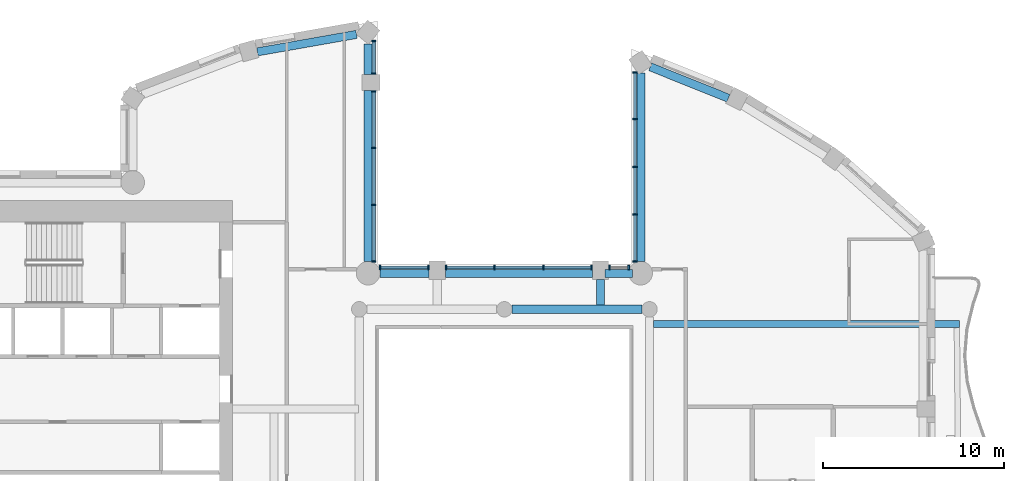
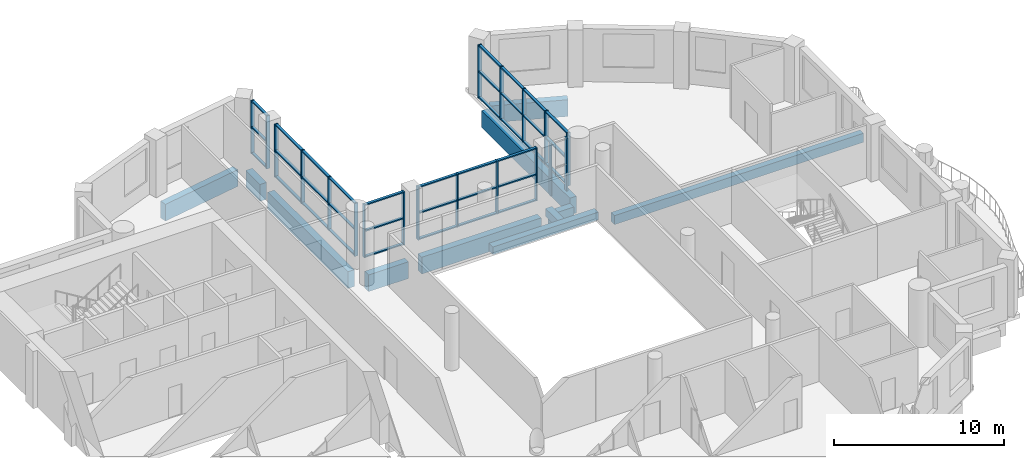
# One storey, part 2 of 14: 55 members, 11 beams, 6 elements without a shape of their own.
"""IFC4 building model written with IfcOpenShell, lengths in metres."""

import ifcopenshell
import ifcopenshell.guid

model = None  # the IFC model being written
_history = None  # IfcOwnerHistory: only IFC2X3 demands one
_inside = {}  # id of a spatial element -> (the spatial element, [elements in it])
_under = {}  # id of a project, library or spatial element -> (it, [spatial elements below it])
_declared = {}  # id of a project -> (the project, [libraries it declares])
_typed = {}  # id of a type object -> (the type object, [elements of that type])
_made_of = {}  # id of a material, layer set ... -> (it, [elements and type objects made of it])


def new_model(schema):
    """Start an empty IFC model of exactly this schema.

    Asked for "IFC4X3", IfcOpenShell would pick the latest addendum, in which some entities
    have other attributes; the version numbers below select the first issue.
    IFC2X3 requires an IfcOwnerHistory on every rooted entity: one is made here for all.
    """
    global model, _history
    if schema == "IFC4X3":
        model = ifcopenshell.file(schema_version=(4, 3, 0, 0))
    else:
        model = ifcopenshell.file(schema=schema)
    _inside.clear()
    _under.clear()
    _declared.clear()
    _typed.clear()
    _made_of.clear()
    _history = None
    if model.schema == "IFC2X3":
        org = make("IfcOrganization", Name="unknown")
        user = make(
            "IfcPersonAndOrganization",
            ThePerson=make("IfcPerson", FamilyName="unknown"),
            TheOrganization=org,
        )
        app = make(
            "IfcApplication",
            ApplicationDeveloper=org,
            Version="unknown",
            ApplicationFullName="unknown",
            ApplicationIdentifier="unknown",
        )
        _history = make(
            "IfcOwnerHistory",
            OwningUser=user,
            OwningApplication=app,
            ChangeAction="ADDED",
            CreationDate=0,
        )
    return model


def make(cls, **values):
    """One entity of the class cls with the attributes given. An attribute that is None is left unset."""
    return model.create_entity(
        cls, **{name: value for name, value in values.items() if value is not None}
    )


def rooted(cls, **values):
    """An entity with a GlobalId (a new one), such as an element, a storey or a relation."""
    return make(cls, GlobalId=ifcopenshell.guid.new(), OwnerHistory=_history, **values)


def si_unit(unit_type, name, prefix=None):
    """IfcSIUnit, for example si_unit("LENGTHUNIT", "METRE", prefix="MILLI")."""
    return make("IfcSIUnit", UnitType=unit_type, Prefix=prefix, Name=name)


def assignment(units):
    """IfcUnitAssignment: the units of a project."""
    return None if units is None else make("IfcUnitAssignment", Units=units)


def point(xyz):
    """IfcCartesianPoint."""
    return None if xyz is None else make("IfcCartesianPoint", Coordinates=xyz)


def direction(xyz):
    """IfcDirection."""
    return None if xyz is None else make("IfcDirection", DirectionRatios=xyz)


def frame(location, z_axis=None, x_axis=None):
    """IfcAxis2Placement3D, a coordinate frame: its origin and axes. An axis left out is left unset."""
    return make(
        "IfcAxis2Placement3D",
        Location=point(location),
        Axis=direction(z_axis),
        RefDirection=direction(x_axis),
    )


def frame_2d(location, x_axis=None):
    """IfcAxis2Placement2D, a coordinate frame in the plane: its origin and x axis."""
    return make(
        "IfcAxis2Placement2D", Location=point(location), RefDirection=direction(x_axis)
    )


def origin():
    """The frame at (0, 0, 0) with its axes left unset."""
    return frame((0.0, 0.0, 0.0))


def origin_2d():
    """The frame at (0, 0) in the plane with its x axis left unset."""
    return frame_2d((0.0, 0.0))


def place(relative_to, where):
    """IfcLocalPlacement: puts the frame where relative to a parent placement (None: the world)."""
    return make(
        "IfcLocalPlacement", PlacementRelTo=relative_to, RelativePlacement=where
    )


def context(
    kind, dimensions, precision=None, world=None, true_north=None, identifier=None
):
    """IfcGeometricRepresentationContext, for example the 3D "Model" context."""
    return make(
        "IfcGeometricRepresentationContext",
        ContextIdentifier=identifier,
        ContextType=kind,
        CoordinateSpaceDimension=dimensions,
        Precision=precision,
        WorldCoordinateSystem=world,
        TrueNorth=true_north,
    )


def subcontext(parent, identifier, kind, view, scale=None):
    """IfcGeometricRepresentationSubContext, for example "Body" below "Model"."""
    return make(
        "IfcGeometricRepresentationSubContext",
        ContextIdentifier=identifier,
        ContextType=kind,
        ParentContext=parent,
        TargetScale=scale,
        TargetView=view,
    )


def project(units=None, contexts=None):
    """IfcProject with its units and contexts."""
    return rooted(
        "IfcProject",
        Name="project",
        RepresentationContexts=contexts,
        UnitsInContext=assignment(units),
    )


def spatial(cls, under=None, at=None, **own):
    """A site, building, storey or space (cls), placed at a placement, below another one or the project."""
    s = rooted(cls, ObjectPlacement=at, **own)
    if under is not None:
        _under.setdefault(under.id(), (under, []))[1].append(s)
    return s


def profile(cls, at=None, kind="AREA", **sizes):
    """A parametric profile (cls). Its sizes go by their IFC names, for example OverallWidth=200.0."""
    return make(cls, ProfileType=kind, Position=at, **sizes)


def rectangle(**sizes):
    """IfcRectangleProfileDef."""
    return profile("IfcRectangleProfileDef", **sizes)


def extrude(swept, where, along, depth):
    """IfcExtrudedAreaSolid: the profile swept, set in the frame where, extruded along a direction by depth."""
    return make(
        "IfcExtrudedAreaSolid",
        SweptArea=swept,
        Position=where,
        ExtrudedDirection=direction(along),
        Depth=depth,
    )


def shape(context_of_items, identifier, shape_type, items):
    """IfcShapeRepresentation: the items that make up one representation, for example the "Body"."""
    return make(
        "IfcShapeRepresentation",
        ContextOfItems=context_of_items,
        RepresentationIdentifier=identifier,
        RepresentationType=shape_type,
        Items=items,
    )


def material(Name=None, Category=None):
    """IfcMaterial."""
    return make("IfcMaterial", Name=Name, Category=Category)


def material_profile(
    of_material, cross_section, Name=None, Category=None, Priority=None
):
    """IfcMaterialProfile: a cross section and its material."""
    return make(
        "IfcMaterialProfile",
        Name=Name,
        Material=of_material,
        Profile=cross_section,
        Priority=Priority,
        Category=Category,
    )


def profile_set(profiles, Name=None, composite=None):
    """IfcMaterialProfileSet."""
    return make(
        "IfcMaterialProfileSet",
        Name=Name,
        MaterialProfiles=profiles,
        CompositeProfile=composite,
    )


def made_of(thing, what):
    """Note that an element or type object is made of a material, layer set ...; save() writes the relation."""
    if what is not None:
        _made_of.setdefault(what.id(), (what, []))[1].append(thing)
    return thing


def type_object(cls, material=None, **own):
    """A type object (cls), such as IfcWallType, which elements share."""
    return made_of(rooted(cls, **own), material)


def element(
    cls,
    number,
    at=None,
    inside=None,
    cuts=None,
    type_object=None,
    material=None,
    context=None,
    identifier="Body",
    shape_type=None,
    held_by="IfcProductDefinitionShape",
    body=None,
    shapes=None,
    **own,
):
    """One element of the class cls, such as IfcWall. Its Tag is "e" and its number.

    at: its placement. inside: the storey or other place that contains it. cuts: it is an
    opening in that element (IfcRelVoidsElement). A single representation is given by context,
    identifier, shape_type and body (its items); several are given by shapes. held_by: the class
    of the entity that holds the representations. save() writes the other relations.
    """
    e = rooted(cls, Tag="e%d" % number, ObjectPlacement=at, **own)
    if body is not None:
        shapes = [shape(context, identifier, shape_type, body)]
    if shapes is not None:
        e.Representation = make(held_by, Representations=shapes)
    if inside is not None:
        _inside.setdefault(inside.id(), (inside, []))[1].append(e)
    if cuts is not None:
        rooted(
            "IfcRelVoidsElement", RelatingBuildingElement=cuts, RelatedOpeningElement=e
        )
    if type_object is not None:
        _typed.setdefault(type_object.id(), (type_object, []))[1].append(e)
    return made_of(e, material)


def aggregate(whole, parts):
    """IfcRelAggregates: a whole, such as a stair, and the parts it consists of."""
    return rooted("IfcRelAggregates", RelatingObject=whole, RelatedObjects=parts)


def save(model, path):
    """Write the relations noted so far, then the file.

    IfcRelAggregates (storeys below a building ...), IfcRelContainedInSpatialStructure (elements
    in a storey), IfcRelDefinesByType, IfcRelAssociatesMaterial and IfcRelDeclares: one each for
    every whole, place, type object, material and project.
    """
    for whole, parts in _under.values():
        aggregate(whole, parts)
    for where, things in _inside.values():
        rooted(
            "IfcRelContainedInSpatialStructure",
            RelatedElements=things,
            RelatingStructure=where,
        )
    for kind, things in _typed.values():
        rooted("IfcRelDefinesByType", RelatedObjects=things, RelatingType=kind)
    for what, things in _made_of.values():
        rooted("IfcRelAssociatesMaterial", RelatedObjects=things, RelatingMaterial=what)
    for by, libraries in _declared.values():
        rooted("IfcRelDeclares", RelatingContext=by, RelatedDefinitions=libraries)
    model.write(path)


model = new_model("IFC4")

# Units and contexts
model_context = context("Model", 3, precision=1e-05, world=origin(), true_north=direction((0.0, 1.0)))
body_context = subcontext(model_context, "Body", "Model", "MODEL_VIEW")
ifc_project = project(units=[si_unit("LENGTHUNIT", "METRE"), si_unit("AREAUNIT", "SQUARE_METRE"), si_unit("VOLUMEUNIT", "CUBIC_METRE"), si_unit("PLANEANGLEUNIT", "RADIAN"), si_unit("MASSUNIT", "GRAM", prefix="KILO")], contexts=[model_context])

# Site, building, storey
site_placement = place(None, origin())
site = spatial("IfcSite", under=ifc_project, at=site_placement, CompositionType="ELEMENT")
building_placement = place(site_placement, origin())
building = spatial("IfcBuilding", under=site, at=building_placement, Name="Cypress Arch Tower", CompositionType="ELEMENT")
storey_placement = place(building_placement, frame((0.0, 0.0, 284.39990234375)))
storey = spatial("IfcBuildingStorey", under=building, at=storey_placement, Name="L64", CompositionType="ELEMENT", Elevation=284.39990234375)

# Beams
ifc_material_1 = material(Name="Concrete C50/60", Category="concrete")
ifc_material_profile_1 = material_profile(ifc_material_1, rectangle(XDim=0.39990234375, YDim=0.64990234375, at=origin_2d()), Name="RC 400x650")
ifc_profile_set_1 = profile_set([ifc_material_profile_1], Name="Concrete C50/60")
beam_type_1 = type_object("IfcBeamType", Name="Cantilever beam RC 400x650 Concrete C50/60", PredefinedType="BEAM", material=ifc_profile_set_1)
beam_1_placement = place(storey_placement, frame((9.22509765625, 9.1826171875, -0.625), z_axis=(1.0, 0.0, 0.0), x_axis=(0.0, 1.0, 0.0)))
element("IfcBeam", 1, at=beam_1_placement, inside=storey, type_object=beam_type_1, Name="Cantilever beam L64 C17 2", PredefinedType="BEAM", context=body_context, shape_type="SweptSolid", body=[
    extrude(rectangle(XDim=0.39990234375, YDim=0.64990234375, at=origin_2d()), origin(), (0.0, 0.0, 1.0), 16.86767578125),
])
ifc_material_2 = material(Name="Concrete C50/60", Category="concrete")
ifc_material_profile_2 = material_profile(ifc_material_2, rectangle(XDim=0.449951171875, YDim=0.550048828125, at=origin_2d()), Name="RC 450x550")
ifc_profile_set_2 = profile_set([ifc_material_profile_2], Name="Concrete C50/60")
beam_type_2 = type_object("IfcBeamType", Name="Floor beam RC 450x550 Concrete C50/60", PredefinedType="BEAM", material=ifc_profile_set_2)
beam_2_placement = place(storey_placement, frame((1.425048828125, 10.0, -0.574951171875), z_axis=(1.0, 0.0, 0.0), x_axis=(0.0, 1.0, 0.0)))
element("IfcBeam", 2, at=beam_2_placement, inside=storey, type_object=beam_type_2, Name="Floor beam L64 RB008", PredefinedType="BEAM", context=body_context, shape_type="SweptSolid", body=[
    extrude(rectangle(XDim=0.449951171875, YDim=0.550048828125, at=origin_2d()), origin(), (0.0, 0.0, 1.0), 7.14990234375),
])
beam_3_placement = place(storey_placement, frame((6.300048828125, 10.22509765625, -0.574951171875), z_axis=(0.0, 1.0, 0.0), x_axis=(-1.0, 0.0, 0.0)))
element("IfcBeam", 3, at=beam_3_placement, inside=storey, type_object=beam_type_2, Name="Floor beam L64 FB013", PredefinedType="BEAM", context=body_context, shape_type="SweptSolid", body=[
    extrude(rectangle(XDim=0.449951171875, YDim=0.550048828125, at=origin_2d()), origin(), (0.0, 0.0, 1.0), 1.4248046875),
])

# Curtain wall, members
ifc_material_3 = material(Name="Anodised aluminium, bronze finish, clear laminated double glazing", Category="aluminium")
curtain_wall_type = type_object("IfcCurtainWallType", Name="Curtain wall CW7 slot glazing", PredefinedType="NOTDEFINED", material=ifc_material_3)
curtain_wall_1_placement = place(storey_placement, origin())
curtain_wall_1 = element("IfcCurtainWall", 4, at=curtain_wall_1_placement, inside=storey, type_object=curtain_wall_type, Name="Curtain wall L64 slot C00.0", PredefinedType="NOTDEFINED")
ifc_material_4 = material(Name="Anodised aluminium, bronze finish", Category="aluminium")
ifc_material_profile_3 = material_profile(ifc_material_4, rectangle(XDim=0.239990234375, YDim=0.0849609375, at=origin_2d()), Name="Mullion 85x240")
ifc_profile_set_3 = profile_set([ifc_material_profile_3], Name="Anodised aluminium, bronze finish")
member_type_1 = type_object("IfcMemberType", Name="Mullion CW7 85x240", PredefinedType="MULLION", material=ifc_profile_set_3)
member_1_placement = place(storey_placement, frame((8.199951171875, 23.060302734375, 0.0), z_axis=(0.0, 0.0, 1.0), x_axis=(1.0, 0.0, 0.0)))
member_1 = element("IfcMember", 5, at=member_1_placement, type_object=member_type_1, Name="CW7 mullion 1", PredefinedType="MULLION", context=body_context, shape_type="SweptSolid", body=[
    extrude(rectangle(XDim=0.239990234375, YDim=0.0849609375, at=origin_2d()), origin(), (0.0, 0.0, 1.0), 3.800048828125),
])
member_2_placement = place(storey_placement, frame((8.199951171875, 20.477294921875, 0.0), z_axis=(0.0, 0.0, 1.0), x_axis=(1.0, 0.0, 0.0)))
member_2 = element("IfcMember", 6, at=member_2_placement, type_object=member_type_1, Name="CW7 mullion 2", PredefinedType="MULLION", context=body_context, shape_type="SweptSolid", body=[
    extrude(rectangle(XDim=0.239990234375, YDim=0.0849609375, at=origin_2d()), origin(), (0.0, 0.0, 1.0), 3.800048828125),
])
member_3_placement = place(storey_placement, frame((8.199951171875, 17.85205078125, 0.0), z_axis=(0.0, 0.0, 1.0), x_axis=(1.0, 0.0, 0.0)))
member_3 = element("IfcMember", 7, at=member_3_placement, type_object=member_type_1, Name="CW7 mullion 3", PredefinedType="MULLION", context=body_context, shape_type="SweptSolid", body=[
    extrude(rectangle(XDim=0.239990234375, YDim=0.0849609375, at=origin_2d()), origin(), (0.0, 0.0, 1.0), 3.800048828125),
])
member_4_placement = place(storey_placement, frame((8.199951171875, 15.226806640625, 0.0), z_axis=(0.0, 0.0, 1.0), x_axis=(1.0, 0.0, 0.0)))
member_4 = element("IfcMember", 8, at=member_4_placement, type_object=member_type_1, Name="CW7 mullion 4", PredefinedType="MULLION", context=body_context, shape_type="SweptSolid", body=[
    extrude(rectangle(XDim=0.239990234375, YDim=0.0849609375, at=origin_2d()), origin(), (0.0, 0.0, 1.0), 3.800048828125),
])
member_5_placement = place(storey_placement, frame((8.199951171875, 12.64404296875, 0.0), z_axis=(0.0, 0.0, 1.0), x_axis=(1.0, 0.0, 0.0)))
member_5 = element("IfcMember", 9, at=member_5_placement, type_object=member_type_1, Name="CW7 mullion 5", PredefinedType="MULLION", context=body_context, shape_type="SweptSolid", body=[
    extrude(rectangle(XDim=0.239990234375, YDim=0.0849609375, at=origin_2d()), origin(), (0.0, 0.0, 1.0), 3.800048828125),
])

curtain_wall_2_placement = place(storey_placement, origin())
curtain_wall_2 = element("IfcCurtainWall", 10, at=curtain_wall_2_placement, inside=storey, type_object=curtain_wall_type, Name="Curtain wall L64 slot C01.0", PredefinedType="NOTDEFINED")
member_6_placement = place(storey_placement, frame((7.85595703125, 12.300048828125, 0.0), z_axis=(0.0, 0.0, 1.0), x_axis=(0.0, -1.0, 0.0)))
member_6 = element("IfcMember", 11, at=member_6_placement, type_object=member_type_1, Name="CW7 mullion 1", PredefinedType="MULLION", context=body_context, shape_type="SweptSolid", body=[
    extrude(rectangle(XDim=0.239990234375, YDim=0.0849609375, at=origin_2d()), origin(), (0.0, 0.0, 1.0), 3.800048828125),
])
member_7_placement = place(storey_placement, frame((6.79248046875, 12.300048828125, 0.0), z_axis=(0.0, 0.0, 1.0), x_axis=(0.0, -1.0, 0.0)))
member_7 = element("IfcMember", 12, at=member_7_placement, type_object=member_type_1, Name="CW7 mullion 2", PredefinedType="MULLION", context=body_context, shape_type="SweptSolid", body=[
    extrude(rectangle(XDim=0.239990234375, YDim=0.0849609375, at=origin_2d()), origin(), (0.0, 0.0, 1.0), 3.800048828125),
])
aggregate(curtain_wall_2, [member_6, member_7])

curtain_wall_3_placement = place(storey_placement, origin())
curtain_wall_3 = element("IfcCurtainWall", 13, at=curtain_wall_3_placement, inside=storey, type_object=curtain_wall_type, Name="Curtain wall L64 slot C01.1", PredefinedType="NOTDEFINED")
member_8_placement = place(storey_placement, frame((5.8076171875, 12.300048828125, 0.0), z_axis=(0.0, 0.0, 1.0), x_axis=(0.0, -1.0, 0.0)))
member_8 = element("IfcMember", 14, at=member_8_placement, type_object=member_type_1, Name="CW7 mullion 1", PredefinedType="MULLION", context=body_context, shape_type="SweptSolid", body=[
    extrude(rectangle(XDim=0.239990234375, YDim=0.0849609375, at=origin_2d()), origin(), (0.0, 0.0, 1.0), 3.800048828125),
])
member_9_placement = place(storey_placement, frame((3.14990234375, 12.300048828125, 0.0), z_axis=(0.0, 0.0, 1.0), x_axis=(0.0, -1.0, 0.0)))
member_9 = element("IfcMember", 15, at=member_9_placement, type_object=member_type_1, Name="CW7 mullion 2", PredefinedType="MULLION", context=body_context, shape_type="SweptSolid", body=[
    extrude(rectangle(XDim=0.239990234375, YDim=0.0849609375, at=origin_2d()), origin(), (0.0, 0.0, 1.0), 3.800048828125),
])
member_10_placement = place(storey_placement, frame((0.449951171875, 12.300048828125, 0.0), z_axis=(0.0, 0.0, 1.0), x_axis=(0.0, -1.0, 0.0)))
member_10 = element("IfcMember", 16, at=member_10_placement, type_object=member_type_1, Name="CW7 mullion 3", PredefinedType="MULLION", context=body_context, shape_type="SweptSolid", body=[
    extrude(rectangle(XDim=0.239990234375, YDim=0.0849609375, at=origin_2d()), origin(), (0.0, 0.0, 1.0), 3.800048828125),
])
member_11_placement = place(storey_placement, frame((-2.20751953125, 12.300048828125, 0.0), z_axis=(0.0, 0.0, 1.0), x_axis=(0.0, -1.0, 0.0)))
member_11 = element("IfcMember", 17, at=member_11_placement, type_object=member_type_1, Name="CW7 mullion 4", PredefinedType="MULLION", context=body_context, shape_type="SweptSolid", body=[
    extrude(rectangle(XDim=0.239990234375, YDim=0.0849609375, at=origin_2d()), origin(), (0.0, 0.0, 1.0), 3.800048828125),
])

curtain_wall_4_placement = place(storey_placement, origin())
curtain_wall_4 = element("IfcCurtainWall", 18, at=curtain_wall_4_placement, inside=storey, type_object=curtain_wall_type, Name="Curtain wall L64 slot C01.2", PredefinedType="NOTDEFINED")
member_12_placement = place(storey_placement, frame((-3.1923828125, 12.300048828125, 0.0), z_axis=(0.0, 0.0, 1.0), x_axis=(0.0, -1.0, 0.0)))
member_12 = element("IfcMember", 19, at=member_12_placement, type_object=member_type_1, Name="CW7 mullion 1", PredefinedType="MULLION", context=body_context, shape_type="SweptSolid", body=[
    extrude(rectangle(XDim=0.239990234375, YDim=0.0849609375, at=origin_2d()), origin(), (0.0, 0.0, 1.0), 3.800048828125),
])
member_13_placement = place(storey_placement, frame((-5.85595703125, 12.300048828125, 0.0), z_axis=(0.0, 0.0, 1.0), x_axis=(0.0, -1.0, 0.0)))
member_13 = element("IfcMember", 20, at=member_13_placement, type_object=member_type_1, Name="CW7 mullion 2", PredefinedType="MULLION", context=body_context, shape_type="SweptSolid", body=[
    extrude(rectangle(XDim=0.239990234375, YDim=0.0849609375, at=origin_2d()), origin(), (0.0, 0.0, 1.0), 3.800048828125),
])

curtain_wall_5_placement = place(storey_placement, origin())
curtain_wall_5 = element("IfcCurtainWall", 21, at=curtain_wall_5_placement, inside=storey, type_object=curtain_wall_type, Name="Curtain wall L64 slot C02.0", PredefinedType="NOTDEFINED")
member_14_placement = place(storey_placement, frame((-6.199951171875, 12.64404296875, 0.0), z_axis=(0.0, 0.0, 1.0), x_axis=(-1.0, 0.0, 0.0)))
member_14 = element("IfcMember", 22, at=member_14_placement, type_object=member_type_1, Name="CW7 mullion 1", PredefinedType="MULLION", context=body_context, shape_type="SweptSolid", body=[
    extrude(rectangle(XDim=0.239990234375, YDim=0.0849609375, at=origin_2d()), origin(), (0.0, 0.0, 1.0), 3.800048828125),
])
member_15_placement = place(storey_placement, frame((-6.199951171875, 15.7509765625, 0.0), z_axis=(0.0, 0.0, 1.0), x_axis=(-1.0, 0.0, 0.0)))
member_15 = element("IfcMember", 23, at=member_15_placement, type_object=member_type_1, Name="CW7 mullion 2", PredefinedType="MULLION", context=body_context, shape_type="SweptSolid", body=[
    extrude(rectangle(XDim=0.239990234375, YDim=0.0849609375, at=origin_2d()), origin(), (0.0, 0.0, 1.0), 3.800048828125),
])
member_16_placement = place(storey_placement, frame((-6.199951171875, 18.900390625, 0.0), z_axis=(0.0, 0.0, 1.0), x_axis=(-1.0, 0.0, 0.0)))
member_16 = element("IfcMember", 24, at=member_16_placement, type_object=member_type_1, Name="CW7 mullion 3", PredefinedType="MULLION", context=body_context, shape_type="SweptSolid", body=[
    extrude(rectangle(XDim=0.239990234375, YDim=0.0849609375, at=origin_2d()), origin(), (0.0, 0.0, 1.0), 3.800048828125),
])
member_17_placement = place(storey_placement, frame((-6.199951171875, 22.007568359375, 0.0), z_axis=(0.0, 0.0, 1.0), x_axis=(-1.0, 0.0, 0.0)))
member_17 = element("IfcMember", 25, at=member_17_placement, type_object=member_type_1, Name="CW7 mullion 4", PredefinedType="MULLION", context=body_context, shape_type="SweptSolid", body=[
    extrude(rectangle(XDim=0.239990234375, YDim=0.0849609375, at=origin_2d()), origin(), (0.0, 0.0, 1.0), 3.800048828125),
])

curtain_wall_6_placement = place(storey_placement, origin())
curtain_wall_6 = element("IfcCurtainWall", 26, at=curtain_wall_6_placement, inside=storey, type_object=curtain_wall_type, Name="Curtain wall L64 slot C02.1", PredefinedType="NOTDEFINED")
member_18_placement = place(storey_placement, frame((-6.199951171875, 22.992431640625, 0.0), z_axis=(0.0, 0.0, 1.0), x_axis=(-1.0, 0.0, 0.0)))
member_18 = element("IfcMember", 27, at=member_18_placement, type_object=member_type_1, Name="CW7 mullion 1", PredefinedType="MULLION", context=body_context, shape_type="SweptSolid", body=[
    extrude(rectangle(XDim=0.239990234375, YDim=0.0849609375, at=origin_2d()), origin(), (0.0, 0.0, 1.0), 3.800048828125),
])
member_19_placement = place(storey_placement, frame((-6.199951171875, 24.789794921875, 0.0), z_axis=(0.0, 0.0, 1.0), x_axis=(-1.0, 0.0, 0.0)))
member_19 = element("IfcMember", 28, at=member_19_placement, type_object=member_type_1, Name="CW7 mullion 2", PredefinedType="MULLION", context=body_context, shape_type="SweptSolid", body=[
    extrude(rectangle(XDim=0.239990234375, YDim=0.0849609375, at=origin_2d()), origin(), (0.0, 0.0, 1.0), 3.800048828125),
])

# Beams
ifc_material_5 = material(Name="Concrete C50/60", Category="concrete")
ifc_material_profile_4 = material_profile(ifc_material_5, rectangle(XDim=0.449951171875, YDim=1.199951171875, at=origin_2d()), Name="RC 450x1200")
ifc_profile_set_4 = profile_set([ifc_material_profile_4], Name="Concrete C50/60")
beam_type_3 = type_object("IfcBeamType", Name="Spandrel beam RC 450x1200 Concrete C50/60", PredefinedType="SPANDREL", material=ifc_profile_set_4)
beam_4_placement = place(storey_placement, frame((8.52490234375, 23.017578125, -1.5498046875), z_axis=(0.0, -1.0, 0.0), x_axis=(1.0, 0.0, 0.0)))
element("IfcBeam", 29, at=beam_4_placement, inside=storey, type_object=beam_type_3, Name="Spandrel beam L64 BC00-0", PredefinedType="SPANDREL", context=body_context, shape_type="SweptSolid", body=[
    extrude(rectangle(XDim=0.449951171875, YDim=1.199951171875, at=origin_2d()), origin(), (0.0, 0.0, 1.0), 10.380126953125),
])
beam_5_placement = place(storey_placement, frame((8.05615234375, 11.97509765625, -1.5498046875), z_axis=(-1.0, 0.0, 0.0), x_axis=(0.0, -1.0, 0.0)))
element("IfcBeam", 30, at=beam_5_placement, inside=storey, type_object=beam_type_3, Name="Spandrel beam L64 BC01-0", PredefinedType="SPANDREL", context=body_context, shape_type="SweptSolid", body=[
    extrude(rectangle(XDim=0.449951171875, YDim=1.199951171875, at=origin_2d()), origin(), (0.0, 0.0, 1.0), 1.5),
])
beam_6_placement = place(storey_placement, frame((5.85009765625, 11.97509765625, -1.5498046875), z_axis=(-1.0, 0.0, 0.0), x_axis=(0.0, -1.0, 0.0)))
element("IfcBeam", 31, at=beam_6_placement, inside=storey, type_object=beam_type_3, Name="Spandrel beam L64 BC01-1", PredefinedType="SPANDREL", context=body_context, shape_type="SweptSolid", body=[
    extrude(rectangle(XDim=0.449951171875, YDim=1.199951171875, at=origin_2d()), origin(), (0.0, 0.0, 1.0), 8.10009765625),
])
beam_7_placement = place(storey_placement, frame((-3.14990234375, 11.97509765625, -1.5498046875), z_axis=(-1.0, 0.0, 0.0), x_axis=(0.0, -1.0, 0.0)))
element("IfcBeam", 32, at=beam_7_placement, inside=storey, type_object=beam_type_3, Name="Spandrel beam L64 BC01-2", PredefinedType="SPANDREL", context=body_context, shape_type="SweptSolid", body=[
    extrude(rectangle(XDim=0.449951171875, YDim=1.199951171875, at=origin_2d()), origin(), (0.0, 0.0, 1.0), 2.712646484375),
])
beam_8_placement = place(storey_placement, frame((-6.52490234375, 12.637451171875, -1.5498046875), z_axis=(0.0, 1.0, 0.0), x_axis=(-1.0, 0.0, 0.0)))
element("IfcBeam", 33, at=beam_8_placement, inside=storey, type_object=beam_type_3, Name="Spandrel beam L64 BC02-0", PredefinedType="SPANDREL", context=body_context, shape_type="SweptSolid", body=[
    extrude(rectangle(XDim=0.449951171875, YDim=1.199951171875, at=origin_2d()), origin(), (0.0, 0.0, 1.0), 9.41259765625),
])
beam_9_placement = place(storey_placement, frame((-6.52490234375, 22.949951171875, -1.5498046875), z_axis=(0.0, 1.0, 0.0), x_axis=(-1.0, 0.0, 0.0)))
element("IfcBeam", 34, at=beam_9_placement, inside=storey, type_object=beam_type_3, Name="Spandrel beam L64 BC02-1", PredefinedType="SPANDREL", context=body_context, shape_type="SweptSolid", body=[
    extrude(rectangle(XDim=0.449951171875, YDim=1.199951171875, at=origin_2d()), origin(), (0.0, 0.0, 1.0), 1.6796875),
])
beam_10_placement = place(storey_placement, frame((-7.14990234375, 25.154052734375, -1.5498046875), z_axis=(-0.984800388539, -0.173689938494, 0.0), x_axis=(0.173689938494, -0.984800388539, 0.0)))
element("IfcBeam", 35, at=beam_10_placement, inside=storey, type_object=beam_type_3, Name="Spandrel beam L64 BC03-0", PredefinedType="SPANDREL", context=body_context, shape_type="SweptSolid", body=[
    extrude(rectangle(XDim=0.449951171875, YDim=1.199951171875, at=origin_2d()), origin(), (0.0, 0.0, 1.0), 5.5478515625),
])
beam_11_placement = place(storey_placement, frame((13.343994140625, 21.6376953125, -1.5498046875), z_axis=(-0.92793836678, 0.372733668263, 0.0), x_axis=(-0.372733668263, -0.92793836678, 0.0)))
element("IfcBeam", 36, at=beam_11_placement, inside=storey, type_object=beam_type_3, Name="Spandrel beam L64 BC20-0", PredefinedType="SPANDREL", context=body_context, shape_type="SweptSolid", body=[
    extrude(rectangle(XDim=0.449951171875, YDim=1.199951171875, at=origin_2d()), origin(), (0.0, 0.0, 1.0), 4.637451171875),
])

# Member
ifc_material_6 = material(Name="Anodised aluminium, bronze finish", Category="aluminium")
ifc_material_profile_5 = material_profile(ifc_material_6, rectangle(XDim=0.179931640625, YDim=0.0849609375, at=origin_2d()), Name="Transom 85x180")
ifc_profile_set_5 = profile_set([ifc_material_profile_5], Name="Anodised aluminium, bronze finish")
member_type_2 = type_object("IfcMemberType", Name="Transom CW7 85x180", PredefinedType="USERDEFINED", material=ifc_profile_set_5)
member_20_placement = place(storey_placement, frame((8.199951171875, 23.017578125, 0.04248046875), z_axis=(0.0, -1.0, 0.0), x_axis=(1.0, 0.0, 0.0)))
member_20 = element("IfcMember", 37, at=member_20_placement, type_object=member_type_2, Name="CW7 transom 1.1", ObjectType="TRANSOM", PredefinedType="USERDEFINED", context=body_context, shape_type="SweptSolid", body=[
    extrude(rectangle(XDim=0.179931640625, YDim=0.0849609375, at=origin_2d()), origin(), (0.0, 0.0, 1.0), 2.497802734375),
])

member_21_placement = place(storey_placement, frame((8.199951171875, 23.017578125, 1.900146484375), z_axis=(0.0, -1.0, 0.0), x_axis=(1.0, 0.0, 0.0)))
member_21 = element("IfcMember", 38, at=member_21_placement, type_object=member_type_2, Name="CW7 transom 1.2", ObjectType="TRANSOM", PredefinedType="USERDEFINED", context=body_context, shape_type="SweptSolid", body=[
    extrude(rectangle(XDim=0.179931640625, YDim=0.0849609375, at=origin_2d()), origin(), (0.0, 0.0, 1.0), 2.497802734375),
])

member_22_placement = place(storey_placement, frame((8.199951171875, 23.017578125, 3.757568359375), z_axis=(0.0, -1.0, 0.0), x_axis=(1.0, 0.0, 0.0)))
member_22 = element("IfcMember", 39, at=member_22_placement, type_object=member_type_2, Name="CW7 transom 1.3", ObjectType="TRANSOM", PredefinedType="USERDEFINED", context=body_context, shape_type="SweptSolid", body=[
    extrude(rectangle(XDim=0.179931640625, YDim=0.0849609375, at=origin_2d()), origin(), (0.0, 0.0, 1.0), 2.497802734375),
])

member_23_placement = place(storey_placement, frame((8.199951171875, 20.434814453125, 0.04248046875), z_axis=(0.0, -1.0, 0.0), x_axis=(1.0, 0.0, 0.0)))
member_23 = element("IfcMember", 40, at=member_23_placement, type_object=member_type_2, Name="CW7 transom 2.1", ObjectType="TRANSOM", PredefinedType="USERDEFINED", context=body_context, shape_type="SweptSolid", body=[
    extrude(rectangle(XDim=0.179931640625, YDim=0.0849609375, at=origin_2d()), origin(), (0.0, 0.0, 1.0), 2.540283203125),
])

member_24_placement = place(storey_placement, frame((8.199951171875, 20.434814453125, 1.900146484375), z_axis=(0.0, -1.0, 0.0), x_axis=(1.0, 0.0, 0.0)))
member_24 = element("IfcMember", 41, at=member_24_placement, type_object=member_type_2, Name="CW7 transom 2.2", ObjectType="TRANSOM", PredefinedType="USERDEFINED", context=body_context, shape_type="SweptSolid", body=[
    extrude(rectangle(XDim=0.179931640625, YDim=0.0849609375, at=origin_2d()), origin(), (0.0, 0.0, 1.0), 2.540283203125),
])

member_25_placement = place(storey_placement, frame((8.199951171875, 20.434814453125, 3.757568359375), z_axis=(0.0, -1.0, 0.0), x_axis=(1.0, 0.0, 0.0)))
member_25 = element("IfcMember", 42, at=member_25_placement, type_object=member_type_2, Name="CW7 transom 2.3", ObjectType="TRANSOM", PredefinedType="USERDEFINED", context=body_context, shape_type="SweptSolid", body=[
    extrude(rectangle(XDim=0.179931640625, YDim=0.0849609375, at=origin_2d()), origin(), (0.0, 0.0, 1.0), 2.540283203125),
])

member_26_placement = place(storey_placement, frame((8.199951171875, 17.8095703125, 0.04248046875), z_axis=(0.0, -1.0, 0.0), x_axis=(1.0, 0.0, 0.0)))
member_26 = element("IfcMember", 43, at=member_26_placement, type_object=member_type_2, Name="CW7 transom 3.1", ObjectType="TRANSOM", PredefinedType="USERDEFINED", context=body_context, shape_type="SweptSolid", body=[
    extrude(rectangle(XDim=0.179931640625, YDim=0.0849609375, at=origin_2d()), origin(), (0.0, 0.0, 1.0), 2.540283203125),
])

member_27_placement = place(storey_placement, frame((8.199951171875, 17.8095703125, 1.900146484375), z_axis=(0.0, -1.0, 0.0), x_axis=(1.0, 0.0, 0.0)))
member_27 = element("IfcMember", 44, at=member_27_placement, type_object=member_type_2, Name="CW7 transom 3.2", ObjectType="TRANSOM", PredefinedType="USERDEFINED", context=body_context, shape_type="SweptSolid", body=[
    extrude(rectangle(XDim=0.179931640625, YDim=0.0849609375, at=origin_2d()), origin(), (0.0, 0.0, 1.0), 2.540283203125),
])

member_28_placement = place(storey_placement, frame((8.199951171875, 17.8095703125, 3.757568359375), z_axis=(0.0, -1.0, 0.0), x_axis=(1.0, 0.0, 0.0)))
member_28 = element("IfcMember", 45, at=member_28_placement, type_object=member_type_2, Name="CW7 transom 3.3", ObjectType="TRANSOM", PredefinedType="USERDEFINED", context=body_context, shape_type="SweptSolid", body=[
    extrude(rectangle(XDim=0.179931640625, YDim=0.0849609375, at=origin_2d()), origin(), (0.0, 0.0, 1.0), 2.540283203125),
])

member_29_placement = place(storey_placement, frame((8.199951171875, 15.184326171875, 0.04248046875), z_axis=(0.0, -1.0, 0.0), x_axis=(1.0, 0.0, 0.0)))
member_29 = element("IfcMember", 46, at=member_29_placement, type_object=member_type_2, Name="CW7 transom 4.1", ObjectType="TRANSOM", PredefinedType="USERDEFINED", context=body_context, shape_type="SweptSolid", body=[
    extrude(rectangle(XDim=0.179931640625, YDim=0.0849609375, at=origin_2d()), origin(), (0.0, 0.0, 1.0), 2.497802734375),
])

member_30_placement = place(storey_placement, frame((8.199951171875, 15.184326171875, 1.900146484375), z_axis=(0.0, -1.0, 0.0), x_axis=(1.0, 0.0, 0.0)))
member_30 = element("IfcMember", 47, at=member_30_placement, type_object=member_type_2, Name="CW7 transom 4.2", ObjectType="TRANSOM", PredefinedType="USERDEFINED", context=body_context, shape_type="SweptSolid", body=[
    extrude(rectangle(XDim=0.179931640625, YDim=0.0849609375, at=origin_2d()), origin(), (0.0, 0.0, 1.0), 2.497802734375),
])

member_31_placement = place(storey_placement, frame((8.199951171875, 15.184326171875, 3.757568359375), z_axis=(0.0, -1.0, 0.0), x_axis=(1.0, 0.0, 0.0)))
member_31 = element("IfcMember", 48, at=member_31_placement, type_object=member_type_2, Name="CW7 transom 4.3", ObjectType="TRANSOM", PredefinedType="USERDEFINED", context=body_context, shape_type="SweptSolid", body=[
    extrude(rectangle(XDim=0.179931640625, YDim=0.0849609375, at=origin_2d()), origin(), (0.0, 0.0, 1.0), 2.497802734375),
])

aggregate(curtain_wall_1, [member_1, member_2, member_3, member_4, member_5, member_20, member_21, member_22, member_23, member_24, member_25, member_26, member_27, member_28, member_29, member_30, member_31])

member_32_placement = place(storey_placement, frame((5.764892578125, 12.300048828125, 0.04248046875), z_axis=(-1.0, 0.0, 0.0), x_axis=(0.0, -1.0, 0.0)))
member_32 = element("IfcMember", 49, at=member_32_placement, type_object=member_type_2, Name="CW7 transom 1.1", ObjectType="TRANSOM", PredefinedType="USERDEFINED", context=body_context, shape_type="SweptSolid", body=[
    extrude(rectangle(XDim=0.179931640625, YDim=0.0849609375, at=origin_2d()), origin(), (0.0, 0.0, 1.0), 2.572509765625),
])

member_33_placement = place(storey_placement, frame((5.764892578125, 12.300048828125, 1.900146484375), z_axis=(-1.0, 0.0, 0.0), x_axis=(0.0, -1.0, 0.0)))
member_33 = element("IfcMember", 50, at=member_33_placement, type_object=member_type_2, Name="CW7 transom 1.2", ObjectType="TRANSOM", PredefinedType="USERDEFINED", context=body_context, shape_type="SweptSolid", body=[
    extrude(rectangle(XDim=0.179931640625, YDim=0.0849609375, at=origin_2d()), origin(), (0.0, 0.0, 1.0), 2.572509765625),
])

member_34_placement = place(storey_placement, frame((5.764892578125, 12.300048828125, 3.757568359375), z_axis=(-1.0, 0.0, 0.0), x_axis=(0.0, -1.0, 0.0)))
member_34 = element("IfcMember", 51, at=member_34_placement, type_object=member_type_2, Name="CW7 transom 1.3", ObjectType="TRANSOM", PredefinedType="USERDEFINED", context=body_context, shape_type="SweptSolid", body=[
    extrude(rectangle(XDim=0.179931640625, YDim=0.0849609375, at=origin_2d()), origin(), (0.0, 0.0, 1.0), 2.572509765625),
])

member_35_placement = place(storey_placement, frame((3.107421875, 12.300048828125, 0.04248046875), z_axis=(-1.0, 0.0, 0.0), x_axis=(0.0, -1.0, 0.0)))
member_35 = element("IfcMember", 52, at=member_35_placement, type_object=member_type_2, Name="CW7 transom 2.1", ObjectType="TRANSOM", PredefinedType="USERDEFINED", context=body_context, shape_type="SweptSolid", body=[
    extrude(rectangle(XDim=0.179931640625, YDim=0.0849609375, at=origin_2d()), origin(), (0.0, 0.0, 1.0), 2.614990234375),
])

member_36_placement = place(storey_placement, frame((3.107421875, 12.300048828125, 1.900146484375), z_axis=(-1.0, 0.0, 0.0), x_axis=(0.0, -1.0, 0.0)))
member_36 = element("IfcMember", 53, at=member_36_placement, type_object=member_type_2, Name="CW7 transom 2.2", ObjectType="TRANSOM", PredefinedType="USERDEFINED", context=body_context, shape_type="SweptSolid", body=[
    extrude(rectangle(XDim=0.179931640625, YDim=0.0849609375, at=origin_2d()), origin(), (0.0, 0.0, 1.0), 2.614990234375),
])

member_37_placement = place(storey_placement, frame((3.107421875, 12.300048828125, 3.757568359375), z_axis=(-1.0, 0.0, 0.0), x_axis=(0.0, -1.0, 0.0)))
member_37 = element("IfcMember", 54, at=member_37_placement, type_object=member_type_2, Name="CW7 transom 2.3", ObjectType="TRANSOM", PredefinedType="USERDEFINED", context=body_context, shape_type="SweptSolid", body=[
    extrude(rectangle(XDim=0.179931640625, YDim=0.0849609375, at=origin_2d()), origin(), (0.0, 0.0, 1.0), 2.614990234375),
])

member_38_placement = place(storey_placement, frame((0.407470703125, 12.300048828125, 0.04248046875), z_axis=(-1.0, 0.0, 0.0), x_axis=(0.0, -1.0, 0.0)))
member_38 = element("IfcMember", 55, at=member_38_placement, type_object=member_type_2, Name="CW7 transom 3.1", ObjectType="TRANSOM", PredefinedType="USERDEFINED", context=body_context, shape_type="SweptSolid", body=[
    extrude(rectangle(XDim=0.179931640625, YDim=0.0849609375, at=origin_2d()), origin(), (0.0, 0.0, 1.0), 2.572509765625),
])

member_39_placement = place(storey_placement, frame((0.407470703125, 12.300048828125, 1.900146484375), z_axis=(-1.0, 0.0, 0.0), x_axis=(0.0, -1.0, 0.0)))
member_39 = element("IfcMember", 56, at=member_39_placement, type_object=member_type_2, Name="CW7 transom 3.2", ObjectType="TRANSOM", PredefinedType="USERDEFINED", context=body_context, shape_type="SweptSolid", body=[
    extrude(rectangle(XDim=0.179931640625, YDim=0.0849609375, at=origin_2d()), origin(), (0.0, 0.0, 1.0), 2.572509765625),
])

member_40_placement = place(storey_placement, frame((0.407470703125, 12.300048828125, 3.757568359375), z_axis=(-1.0, 0.0, 0.0), x_axis=(0.0, -1.0, 0.0)))
member_40 = element("IfcMember", 57, at=member_40_placement, type_object=member_type_2, Name="CW7 transom 3.3", ObjectType="TRANSOM", PredefinedType="USERDEFINED", context=body_context, shape_type="SweptSolid", body=[
    extrude(rectangle(XDim=0.179931640625, YDim=0.0849609375, at=origin_2d()), origin(), (0.0, 0.0, 1.0), 2.572509765625),
])

aggregate(curtain_wall_3, [member_8, member_9, member_10, member_11, member_32, member_33, member_34, member_35, member_36, member_37, member_38, member_39, member_40])

member_41_placement = place(storey_placement, frame((-3.235107421875, 12.300048828125, 0.04248046875), z_axis=(-1.0, 0.0, 0.0), x_axis=(0.0, -1.0, 0.0)))
member_41 = element("IfcMember", 58, at=member_41_placement, type_object=member_type_2, Name="CW7 transom 1.1", ObjectType="TRANSOM", PredefinedType="USERDEFINED", context=body_context, shape_type="SweptSolid", body=[
    extrude(rectangle(XDim=0.179931640625, YDim=0.0849609375, at=origin_2d()), origin(), (0.0, 0.0, 1.0), 2.578369140625),
])

member_42_placement = place(storey_placement, frame((-3.235107421875, 12.300048828125, 1.900146484375), z_axis=(-1.0, 0.0, 0.0), x_axis=(0.0, -1.0, 0.0)))
member_42 = element("IfcMember", 59, at=member_42_placement, type_object=member_type_2, Name="CW7 transom 1.2", ObjectType="TRANSOM", PredefinedType="USERDEFINED", context=body_context, shape_type="SweptSolid", body=[
    extrude(rectangle(XDim=0.179931640625, YDim=0.0849609375, at=origin_2d()), origin(), (0.0, 0.0, 1.0), 2.578369140625),
])

member_43_placement = place(storey_placement, frame((-3.235107421875, 12.300048828125, 3.757568359375), z_axis=(-1.0, 0.0, 0.0), x_axis=(0.0, -1.0, 0.0)))
member_43 = element("IfcMember", 60, at=member_43_placement, type_object=member_type_2, Name="CW7 transom 1.3", ObjectType="TRANSOM", PredefinedType="USERDEFINED", context=body_context, shape_type="SweptSolid", body=[
    extrude(rectangle(XDim=0.179931640625, YDim=0.0849609375, at=origin_2d()), origin(), (0.0, 0.0, 1.0), 2.578369140625),
])

aggregate(curtain_wall_4, [member_12, member_13, member_41, member_42, member_43])

member_44_placement = place(storey_placement, frame((-6.199951171875, 12.6865234375, 0.04248046875), z_axis=(0.0, 1.0, 0.0), x_axis=(-1.0, 0.0, 0.0)))
member_44 = element("IfcMember", 61, at=member_44_placement, type_object=member_type_2, Name="CW7 transom 1.1", ObjectType="TRANSOM", PredefinedType="USERDEFINED", context=body_context, shape_type="SweptSolid", body=[
    extrude(rectangle(XDim=0.179931640625, YDim=0.0849609375, at=origin_2d()), origin(), (0.0, 0.0, 1.0), 3.02197265625),
])

member_45_placement = place(storey_placement, frame((-6.199951171875, 12.6865234375, 1.900146484375), z_axis=(0.0, 1.0, 0.0), x_axis=(-1.0, 0.0, 0.0)))
member_45 = element("IfcMember", 62, at=member_45_placement, type_object=member_type_2, Name="CW7 transom 1.2", ObjectType="TRANSOM", PredefinedType="USERDEFINED", context=body_context, shape_type="SweptSolid", body=[
    extrude(rectangle(XDim=0.179931640625, YDim=0.0849609375, at=origin_2d()), origin(), (0.0, 0.0, 1.0), 3.02197265625),
])

member_46_placement = place(storey_placement, frame((-6.199951171875, 12.6865234375, 3.757568359375), z_axis=(0.0, 1.0, 0.0), x_axis=(-1.0, 0.0, 0.0)))
member_46 = element("IfcMember", 63, at=member_46_placement, type_object=member_type_2, Name="CW7 transom 1.3", ObjectType="TRANSOM", PredefinedType="USERDEFINED", context=body_context, shape_type="SweptSolid", body=[
    extrude(rectangle(XDim=0.179931640625, YDim=0.0849609375, at=origin_2d()), origin(), (0.0, 0.0, 1.0), 3.02197265625),
])

member_47_placement = place(storey_placement, frame((-6.199951171875, 15.79345703125, 0.04248046875), z_axis=(0.0, 1.0, 0.0), x_axis=(-1.0, 0.0, 0.0)))
member_47 = element("IfcMember", 64, at=member_47_placement, type_object=member_type_2, Name="CW7 transom 2.1", ObjectType="TRANSOM", PredefinedType="USERDEFINED", context=body_context, shape_type="SweptSolid", body=[
    extrude(rectangle(XDim=0.179931640625, YDim=0.0849609375, at=origin_2d()), origin(), (0.0, 0.0, 1.0), 3.064453125),
])

member_48_placement = place(storey_placement, frame((-6.199951171875, 15.79345703125, 1.900146484375), z_axis=(0.0, 1.0, 0.0), x_axis=(-1.0, 0.0, 0.0)))
member_48 = element("IfcMember", 65, at=member_48_placement, type_object=member_type_2, Name="CW7 transom 2.2", ObjectType="TRANSOM", PredefinedType="USERDEFINED", context=body_context, shape_type="SweptSolid", body=[
    extrude(rectangle(XDim=0.179931640625, YDim=0.0849609375, at=origin_2d()), origin(), (0.0, 0.0, 1.0), 3.064453125),
])

member_49_placement = place(storey_placement, frame((-6.199951171875, 15.79345703125, 3.757568359375), z_axis=(0.0, 1.0, 0.0), x_axis=(-1.0, 0.0, 0.0)))
member_49 = element("IfcMember", 66, at=member_49_placement, type_object=member_type_2, Name="CW7 transom 2.3", ObjectType="TRANSOM", PredefinedType="USERDEFINED", context=body_context, shape_type="SweptSolid", body=[
    extrude(rectangle(XDim=0.179931640625, YDim=0.0849609375, at=origin_2d()), origin(), (0.0, 0.0, 1.0), 3.064453125),
])

member_50_placement = place(storey_placement, frame((-6.199951171875, 18.943115234375, 0.04248046875), z_axis=(0.0, 1.0, 0.0), x_axis=(-1.0, 0.0, 0.0)))
member_50 = element("IfcMember", 67, at=member_50_placement, type_object=member_type_2, Name="CW7 transom 3.1", ObjectType="TRANSOM", PredefinedType="USERDEFINED", context=body_context, shape_type="SweptSolid", body=[
    extrude(rectangle(XDim=0.179931640625, YDim=0.0849609375, at=origin_2d()), origin(), (0.0, 0.0, 1.0), 3.02197265625),
])

member_51_placement = place(storey_placement, frame((-6.199951171875, 18.943115234375, 1.900146484375), z_axis=(0.0, 1.0, 0.0), x_axis=(-1.0, 0.0, 0.0)))
member_51 = element("IfcMember", 68, at=member_51_placement, type_object=member_type_2, Name="CW7 transom 3.2", ObjectType="TRANSOM", PredefinedType="USERDEFINED", context=body_context, shape_type="SweptSolid", body=[
    extrude(rectangle(XDim=0.179931640625, YDim=0.0849609375, at=origin_2d()), origin(), (0.0, 0.0, 1.0), 3.02197265625),
])

member_52_placement = place(storey_placement, frame((-6.199951171875, 18.943115234375, 3.757568359375), z_axis=(0.0, 1.0, 0.0), x_axis=(-1.0, 0.0, 0.0)))
member_52 = element("IfcMember", 69, at=member_52_placement, type_object=member_type_2, Name="CW7 transom 3.3", ObjectType="TRANSOM", PredefinedType="USERDEFINED", context=body_context, shape_type="SweptSolid", body=[
    extrude(rectangle(XDim=0.179931640625, YDim=0.0849609375, at=origin_2d()), origin(), (0.0, 0.0, 1.0), 3.02197265625),
])

aggregate(curtain_wall_5, [member_14, member_15, member_16, member_17, member_44, member_45, member_46, member_47, member_48, member_49, member_50, member_51, member_52])

member_53_placement = place(storey_placement, frame((-6.199951171875, 23.034912109375, 0.04248046875), z_axis=(0.0, 1.0, 0.0), x_axis=(-1.0, 0.0, 0.0)))
member_53 = element("IfcMember", 70, at=member_53_placement, type_object=member_type_2, Name="CW7 transom 1.1", ObjectType="TRANSOM", PredefinedType="USERDEFINED", context=body_context, shape_type="SweptSolid", body=[
    extrude(rectangle(XDim=0.179931640625, YDim=0.0849609375, at=origin_2d()), origin(), (0.0, 0.0, 1.0), 1.71240234375),
])

member_54_placement = place(storey_placement, frame((-6.199951171875, 23.034912109375, 1.900146484375), z_axis=(0.0, 1.0, 0.0), x_axis=(-1.0, 0.0, 0.0)))
member_54 = element("IfcMember", 71, at=member_54_placement, type_object=member_type_2, Name="CW7 transom 1.2", ObjectType="TRANSOM", PredefinedType="USERDEFINED", context=body_context, shape_type="SweptSolid", body=[
    extrude(rectangle(XDim=0.179931640625, YDim=0.0849609375, at=origin_2d()), origin(), (0.0, 0.0, 1.0), 1.71240234375),
])

member_55_placement = place(storey_placement, frame((-6.199951171875, 23.034912109375, 3.757568359375), z_axis=(0.0, 1.0, 0.0), x_axis=(-1.0, 0.0, 0.0)))
member_55 = element("IfcMember", 72, at=member_55_placement, type_object=member_type_2, Name="CW7 transom 1.3", ObjectType="TRANSOM", PredefinedType="USERDEFINED", context=body_context, shape_type="SweptSolid", body=[
    extrude(rectangle(XDim=0.179931640625, YDim=0.0849609375, at=origin_2d()), origin(), (0.0, 0.0, 1.0), 1.71240234375),
])

aggregate(curtain_wall_6, [member_18, member_19, member_53, member_54, member_55])

save(model, "model.ifc")
